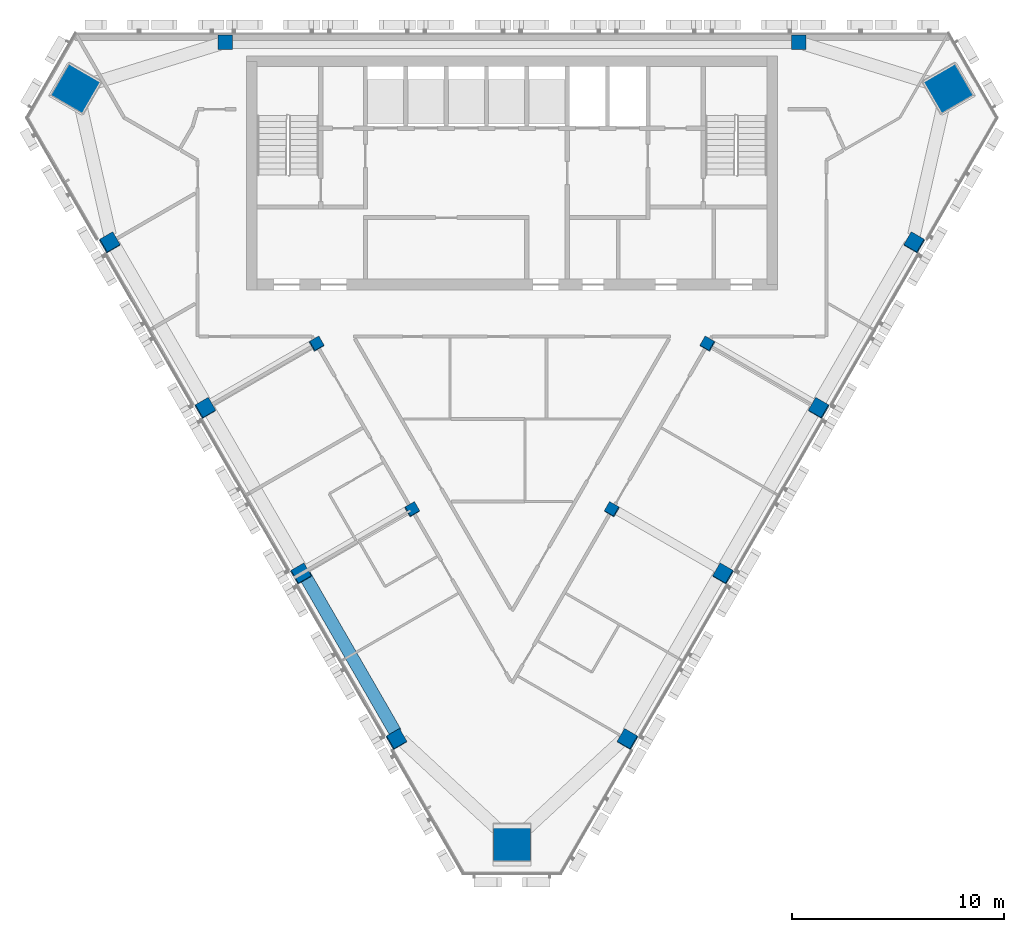
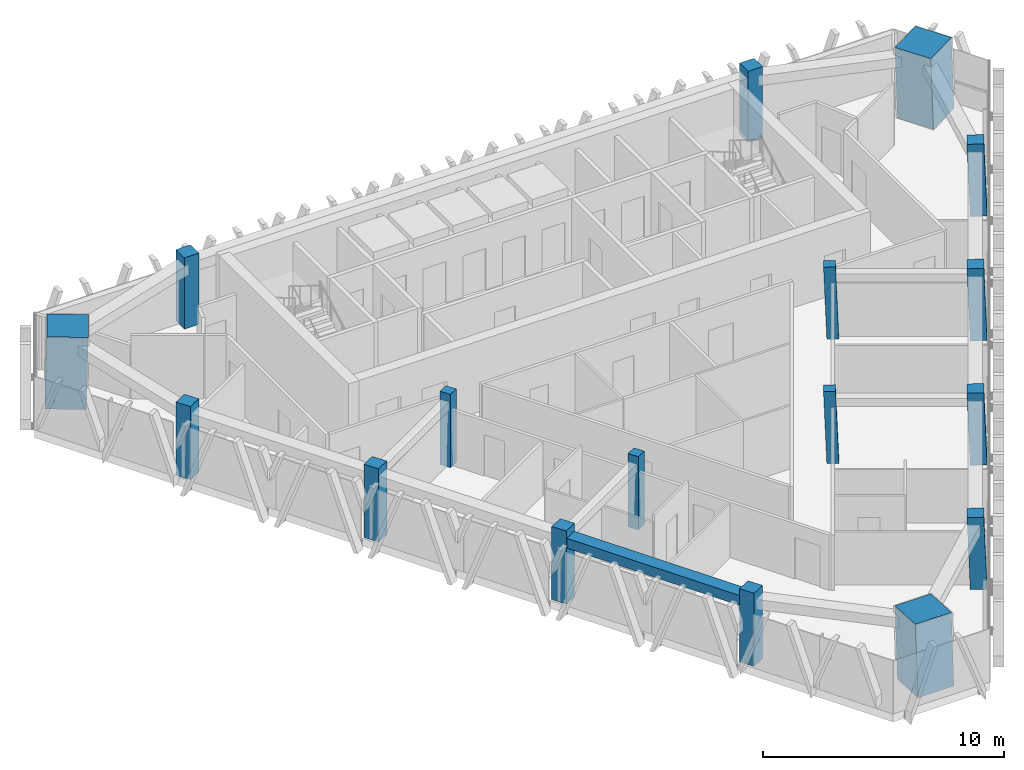
# One storey, part 1 of 12: 17 columns, 1 beam.
"""IFC4 building model written with IfcOpenShell, lengths in metres."""

from ifc_helpers import new_model, si_unit, direction, frame, origin, origin_2d, place, context, subcontext, project, spatial, rectangle, extrude, material, material_profile, profile_set, type_object, element, save


model = new_model("IFC4")

# Units and contexts
model_context = context("Model", 3, precision=1e-05, world=origin(), true_north=direction((0.0, 1.0)))
body_context = subcontext(model_context, "Body", "Model", "MODEL_VIEW")
ifc_project = project(units=[si_unit("LENGTHUNIT", "METRE"), si_unit("AREAUNIT", "SQUARE_METRE"), si_unit("VOLUMEUNIT", "CUBIC_METRE"), si_unit("PLANEANGLEUNIT", "RADIAN"), si_unit("MASSUNIT", "GRAM", prefix="KILO")], contexts=[model_context])

# Site, building, storey
site_placement = place(None, origin())
site = spatial("IfcSite", under=ifc_project, at=site_placement, CompositionType="ELEMENT")
building_placement = place(site_placement, origin())
building = spatial("IfcBuilding", under=site, at=building_placement, Name="Altiplano Prism Tower", CompositionType="ELEMENT")
storey_placement = place(building_placement, frame((0.0, 0.0, 278.800048828125)))
storey = spatial("IfcBuildingStorey", under=building, at=storey_placement, Name="L72", CompositionType="ELEMENT", Elevation=278.800048828125)

# Columns
ifc_material_1 = material(Name="Concrete C60/75", Category="concrete")
ifc_material_profile_1 = material_profile(ifc_material_1, rectangle(XDim=0.5, YDim=0.5, at=origin_2d()), Name="Inner column 500")
ifc_profile_set_1 = profile_set([ifc_material_profile_1], Name="Concrete C60/75")
column_type_1 = type_object("IfcColumnType", Name="Inner column 500", PredefinedType="COLUMN", material=ifc_profile_set_1)
for number, where, z_axis, x_axis, name in (
    (1, (75.787109375, 90.337158203125, -0.01513671875), (0.022222910879, 0.038415824599, 0.999014697916), (-0.866024007531, -0.498523017131, 0.038434616832), "Inner column I12 L72"),
    (2, (80.287109375, 82.542724609375, -0.01513671875), (0.022222852987, 0.038483477124, 0.999012095419), (-0.865639352107, -0.499186721818, 0.038485436791), "Inner column I13 L72"),
    (3, (89.712890625, 82.542724609375, -0.01513671875), (-0.022222852987, 0.038483477124, 0.999012095419), (-0.500174626395, -0.865639439229, 0.022219459073), "Inner column I22 L72"),
    (4, (94.212890625, 90.337158203125, -0.01513671875), (-0.022222910879, 0.038415824599, 0.999014697916), (-0.499508318862, -0.866024841336, 0.022190393791), "Inner column I23 L72"),
):
    element("IfcColumn", number, at=place(storey_placement, frame(where, z_axis=z_axis, x_axis=x_axis)), inside=storey, type_object=column_type_1, Name=name, PredefinedType="COLUMN", context=body_context, shape_type="SweptSolid", body=[
        extrude(rectangle(XDim=0.5, YDim=0.5, at=origin_2d()), origin(), (0.0, 0.0, 1.0), 3.603515625),
    ])
ifc_material_2 = material(Name="Concrete C70/85", Category="concrete")
ifc_material_profile_2 = material_profile(ifc_material_2, rectangle(XDim=1.719970703125, YDim=1.719970703125, at=origin_2d()), Name="Mega column infill 1800")
ifc_profile_set_2 = profile_set([ifc_material_profile_2], Name="Concrete C70/85")
column_type_2 = type_object("IfcColumnType", Name="Mega column infill 1800", PredefinedType="COLUMN", material=ifc_profile_set_2)
column_1_placement = place(storey_placement, frame((64.40478515625, 102.35107421875, 0.0), z_axis=(0.028336004223, 0.009219369795, 0.999555938447), x_axis=(-0.865480451458, 0.500546547608, 0.019918378992)))
element("IfcColumn", 5, at=column_1_placement, inside=storey, type_object=column_type_2, Name="Mega column M0 L72", PredefinedType="COLUMN", context=body_context, shape_type="SweptSolid", body=[
    extrude(rectangle(XDim=1.719970703125, YDim=1.719970703125, at=origin_2d()), origin(), (0.0, 0.0, 1.0), 3.6015625),
])
column_2_placement = place(storey_placement, frame((85.0, 66.678955078125, 0.0), z_axis=(0.0, 0.058360852261, 0.998295552892), x_axis=(-1.0, 0.0, 0.0)))
element("IfcColumn", 6, at=column_2_placement, inside=storey, type_object=column_type_2, Name="Mega column M1 L72", PredefinedType="COLUMN", context=body_context, shape_type="SweptSolid", body=[
    extrude(rectangle(XDim=1.719970703125, YDim=1.719970703125, at=origin_2d()), origin(), (0.0, 0.0, 1.0), 3.60595703125),
])
column_3_placement = place(storey_placement, frame((105.59521484375, 102.35107421875, 0.0), z_axis=(-0.028336004223, 0.009219369795, 0.999555938447), x_axis=(0.500145639136, -0.865657640444, 0.022162788488)))
element("IfcColumn", 7, at=column_3_placement, inside=storey, type_object=column_type_2, Name="Mega column M2 L72", PredefinedType="COLUMN", context=body_context, shape_type="SweptSolid", body=[
    extrude(rectangle(XDim=1.719970703125, YDim=1.719970703125, at=origin_2d()), origin(), (0.0, 0.0, 1.0), 3.6015625),
])
ifc_material_profile_3 = material_profile(ifc_material_1, rectangle(XDim=0.699951171875, YDim=0.699951171875, at=origin_2d()), Name="Perimeter column 700")
ifc_profile_set_3 = profile_set([ifc_material_profile_3], Name="Concrete C60/75")
column_type_3 = type_object("IfcColumnType", Name="Perimeter column 700", PredefinedType="COLUMN", material=ifc_profile_set_3)
for number, where, z_axis, x_axis, name in (
    (8, (98.5, 104.550048828125, 0.0), (0.0, 0.0, 1.0), (1.0, 0.0, 0.0), "Perimeter column P01 L72"),
    (9, (71.5, 104.550048828125, 0.0), (0.0, 0.0, 1.0), (1.0, 0.0, 0.0), "Perimeter column P04 L72"),
):
    element("IfcColumn", number, at=place(storey_placement, frame(where, z_axis=z_axis, x_axis=x_axis)), inside=storey, type_object=column_type_3, Name=name, PredefinedType="COLUMN", context=body_context, shape_type="SweptSolid", body=[
        extrude(rectangle(XDim=0.699951171875, YDim=0.699951171875, at=origin_2d()), origin(), (0.0, 0.0, 1.0), 3.599853515625),
    ])
for number, where, z_axis, x_axis, name in (
    (10, (66.047607421875, 95.10595703125, -0.021240234375), (0.022155133694, 0.038483534979, 0.999013597298), (-0.864982365973, -0.50032653087, 0.038456066681), "Perimeter column P11 L72"),
    (11, (70.547607421875, 87.311767578125, -0.021240234375), (0.022155133694, 0.038483534979, 0.999013597298), (-0.864982357223, -0.500326545966, 0.038456067068), "Perimeter column P12 L72"),
    (12, (75.047607421875, 79.517578125, -0.021240234375), (0.022155133694, 0.038483534979, 0.999013597298), (-0.864979671095, -0.500331180667, 0.038456186034), "Perimeter column P13 L72"),
    (13, (79.547607421875, 71.723388671875, -0.021240234375), (0.02215519141, 0.038415882353, 0.999016199807), (-0.865361939077, -0.499673629592, 0.038405446053), "Perimeter column P14 L72"),
    (14, (90.452392578125, 71.723388671875, -0.021240234375), (-0.02215519141, 0.038415882353, 0.999016199807), (-0.500657429676, -0.865361475843, 0.022173277538), "Perimeter column P21 L72"),
    (15, (94.952392578125, 79.517578125, -0.021240234375), (-0.022155133694, 0.038483534979, 0.999013597298), (-0.501317582619, -0.864978454753, 0.02220257123), "Perimeter column P22 L72"),
    (16, (99.452392578125, 87.311767578125, -0.021240234375), (-0.022155133694, 0.038483534979, 0.999013597298), (-0.501312947912, -0.864981135596, 0.022202777284), "Perimeter column P23 L72"),
    (17, (103.952392578125, 95.10595703125, -0.021240234375), (-0.022155133694, 0.038483534979, 0.999013597298), (-0.501312932815, -0.864981144328, 0.022202777955), "Perimeter column P24 L72"),
):
    element("IfcColumn", number, at=place(storey_placement, frame(where, z_axis=z_axis, x_axis=x_axis)), inside=storey, type_object=column_type_3, Name=name, PredefinedType="COLUMN", context=body_context, shape_type="SweptSolid", body=[
        extrude(rectangle(XDim=0.699951171875, YDim=0.699951171875, at=origin_2d()), origin(), (0.0, 0.0, 1.0), 3.603515625),
    ])

# Beam
ifc_material_profile_4 = material_profile(ifc_material_1, rectangle(XDim=0.60009765625, YDim=0.5, at=origin_2d()), Name="Edge beam 600x500")
ifc_profile_set_4 = profile_set([ifc_material_profile_4], Name="Concrete C60/75")
beam_type = type_object("IfcBeamType", Name="Edge beam 600x500", PredefinedType="SPANDREL", material=ifc_profile_set_4)
beam_placement = place(storey_placement, frame((75.242919921875, 79.457763671875, 2.949951171875), z_axis=(0.500007039007, -0.866021339774, 0.0), x_axis=(0.866021339774, 0.500007039007, 0.0)))
element("IfcBeam", 18, at=beam_placement, inside=storey, type_object=beam_type, Name="Edge beam P13-P14 L73", PredefinedType="SPANDREL", context=body_context, shape_type="SweptSolid", body=[
    extrude(rectangle(XDim=0.60009765625, YDim=0.5, at=origin_2d()), origin(), (0.0, 0.0, 1.0), 8.5400390625),
])

save(model, "model.ifc")
